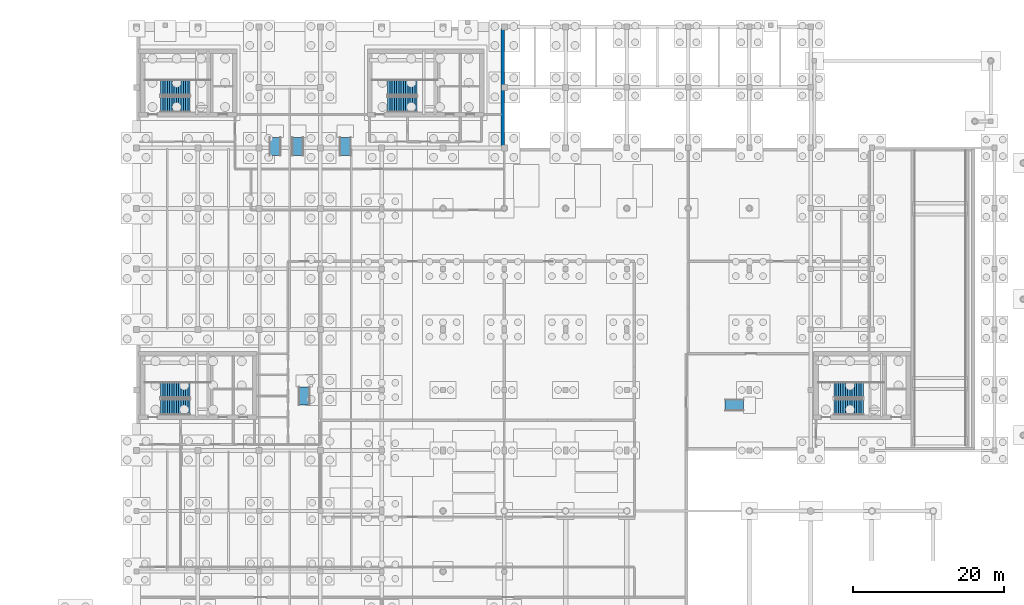
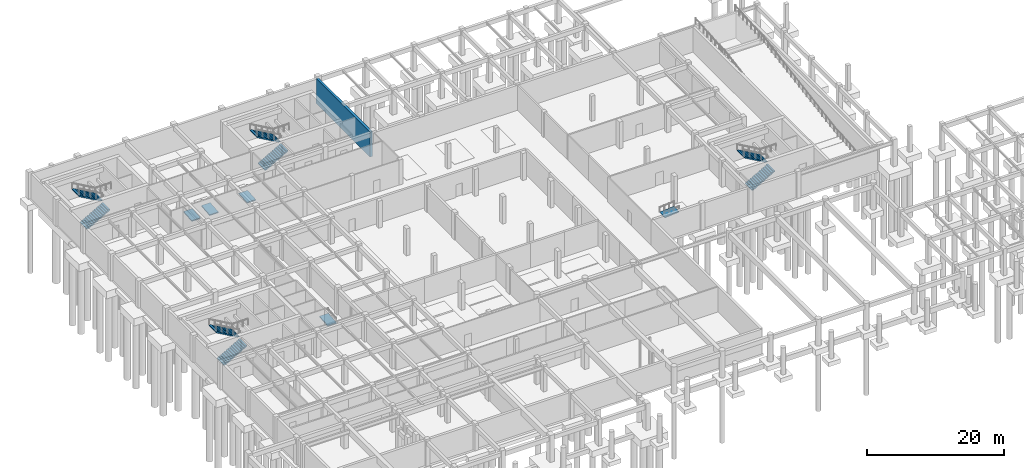
# One storey, part 19 of 25: 8 stair flights, 5 ramp flights, 1 wall, 9 elements without a shape of their own.
"""IFC4 building model written with IfcOpenShell, lengths in metres."""

from ifc_helpers import new_model, si_unit, direction, frame, frame_2d, origin, place, context, subcontext, project, spatial, polyline, rectangle, outline, extrude, material, layer, layer_set, type_object, element, aggregate, save


model = new_model("IFC4")

# Units and contexts
model_context = context("Model", 3, precision=1e-05, world=origin(), true_north=direction((0.0, 1.0)))
body_context = subcontext(model_context, "Body", "Model", "MODEL_VIEW")
ifc_project = project(units=[si_unit("LENGTHUNIT", "METRE"), si_unit("AREAUNIT", "SQUARE_METRE"), si_unit("VOLUMEUNIT", "CUBIC_METRE"), si_unit("PLANEANGLEUNIT", "RADIAN"), si_unit("MASSUNIT", "GRAM", prefix="KILO")], contexts=[model_context])

# Site, building, storey
site_placement = place(None, origin())
site = spatial("IfcSite", under=ifc_project, at=site_placement, CompositionType="ELEMENT")
building_placement = place(site_placement, origin())
building = spatial("IfcBuilding", under=site, at=building_placement, Name="Tarnveldt Square Police Headquarters", CompositionType="ELEMENT")
storey_placement = place(building_placement, frame((0.0, 0.0, -4.800048828125)))
storey = spatial("IfcBuildingStorey", under=building, at=storey_placement, Name="B1", CompositionType="ELEMENT", Elevation=-4.800048828125)

# Wall
ifc_material = material(Name="Concrete 40 MPa", Category="concrete")
ifc_layer_1 = layer(ifc_material, 0.419921875)
ifc_layer_set_1 = layer_set([ifc_layer_1], Name="Concrete 40 MPa")
wall_type = type_object("IfcWallType", Name="WL-RET-420", PredefinedType="USERDEFINED", material=ifc_layer_set_1)
wall_placement = place(storey_placement, frame((64.590087890625, 111.7900390625, 0.0), z_axis=(0.0, 0.0, 1.0), x_axis=(0.0, -1.0, 0.0)))
element("IfcWall", 1, at=wall_placement, inside=storey, type_object=wall_type, Name="Basement Perimeter Retaining Wall 04", ObjectType="RETAINING WALL", PredefinedType="USERDEFINED", context=body_context, shape_type="SweptSolid", body=[
    extrude(rectangle(XDim=15.7900390625, YDim=0.419921875, at=frame_2d((7.89501953125, 0.0))), origin(), (0.0, 0.0, 1.0), 4.449951171875),
])

# Stair, stair flights
stair_type_1 = type_object("IfcStairType", Name="STR-HT-48A", PredefinedType="HALF_TURN_STAIR", material=ifc_material)
stair_1_placement = place(storey_placement, origin())
stair_1 = element("IfcStair", 2, at=stair_1_placement, inside=storey, type_object=stair_type_1, Name="B1 Core K1 Exit Stair ST1", PredefinedType="HALF_TURN_STAIR")
stair_flight_type_1 = type_object("IfcStairFlightType", Name="STF-HT-48A", PredefinedType="STRAIGHT", material=ifc_material)
stair_flight_1_placement = place(storey_placement, frame((19.3701171875, 61.7451171875, 0.0), z_axis=(0.0, 0.0, 1.0), x_axis=(1.0, 0.0, 0.0)))
stair_flight_1 = element("IfcStairFlight", 3, at=stair_flight_1_placement, type_object=stair_flight_type_1, Name="ST1 flight 1", NumberOfRisers=14, NumberOfTreads=13, PredefinedType="STRAIGHT", RiserHeight=0.171428571, TreadLength=0.3, context=body_context, shape_type="SweptSolid", body=[
    extrude(outline(polyline([(0.0, 0.0), (0.0, 0.17138671875), (0.300048828125, 0.17138671875), (0.300048828125, 0.3427734375), (0.60009765625, 0.3427734375), (0.60009765625, 0.514404296875), (0.89990234375, 0.514404296875), (0.89990234375, 0.685791015625), (1.199951171875, 0.685791015625), (1.199951171875, 0.857177734375), (1.5, 0.857177734375), (1.5, 1.028564453125), (1.800048828125, 1.028564453125), (1.800048828125, 1.199951171875), (2.10009765625, 1.199951171875), (2.10009765625, 1.371337890625), (2.39990234375, 1.371337890625), (2.39990234375, 1.54296875), (2.699951171875, 1.54296875), (2.699951171875, 1.71435546875), (3.0, 1.71435546875), (3.0, 1.8857421875), (3.300048828125, 1.8857421875), (3.300048828125, 2.05712890625), (3.60009765625, 2.05712890625), (3.60009765625, 2.228515625), (3.89990234375, 2.228515625), (3.89990234375, 2.39990234375), (3.89990234375, 2.055908203125), (0.30224609375, 0.0), (0.0, 0.0)])), frame((0.0, 1.02490234375, 0.0), z_axis=(0.0, -1.0, 0.0), x_axis=(1.0, 0.0, 0.0)), (0.0, 0.0, 1.0), 2.050048828125),
])
stair_flight_2_placement = place(storey_placement, frame((23.27001953125, 63.9951171875, 2.400146484375), z_axis=(0.0, 0.0, 1.0), x_axis=(-1.0, 0.0, 0.0)))
stair_flight_2 = element("IfcStairFlight", 4, at=stair_flight_2_placement, type_object=stair_flight_type_1, Name="ST1 flight 2", NumberOfRisers=14, NumberOfTreads=13, PredefinedType="STRAIGHT", RiserHeight=0.171428571, TreadLength=0.3, context=body_context, shape_type="SweptSolid", body=[
    extrude(outline(polyline([(0.0, 0.0), (0.0, 0.17138671875), (0.300048828125, 0.17138671875), (0.300048828125, 0.3427734375), (0.60009765625, 0.3427734375), (0.60009765625, 0.514404296875), (0.89990234375, 0.514404296875), (0.89990234375, 0.685791015625), (1.199951171875, 0.685791015625), (1.199951171875, 0.857177734375), (1.5, 0.857177734375), (1.5, 1.028564453125), (1.800048828125, 1.028564453125), (1.800048828125, 1.199951171875), (2.10009765625, 1.199951171875), (2.10009765625, 1.371337890625), (2.39990234375, 1.371337890625), (2.39990234375, 1.54296875), (2.699951171875, 1.54296875), (2.699951171875, 1.71435546875), (3.0, 1.71435546875), (3.0, 1.8857421875), (3.300048828125, 1.8857421875), (3.300048828125, 2.05712890625), (3.60009765625, 2.05712890625), (3.60009765625, 2.228515625), (3.89990234375, 2.228515625), (3.89990234375, 2.39990234375), (3.89990234375, 2.055908203125), (0.30224609375, 0.0), (0.0, 0.0)])), frame((0.0, 1.02490234375, 0.0), z_axis=(0.0, -1.0, 0.0), x_axis=(1.0, 0.0, 0.0)), (0.0, 0.0, 1.0), 2.050048828125),
])
aggregate(stair_1, [stair_flight_1, stair_flight_2])

stair_2_placement = place(storey_placement, origin())
stair_2 = element("IfcStair", 5, at=stair_2_placement, inside=storey, type_object=stair_type_1, Name="B1 Core K2 Exit Stair ST2", PredefinedType="HALF_TURN_STAIR")
stair_flight_3_placement = place(storey_placement, frame((19.3701171875, 101.7451171875, 0.0), z_axis=(0.0, 0.0, 1.0), x_axis=(1.0, 0.0, 0.0)))
stair_flight_3 = element("IfcStairFlight", 6, at=stair_flight_3_placement, type_object=stair_flight_type_1, Name="ST2 flight 1", NumberOfRisers=14, NumberOfTreads=13, PredefinedType="STRAIGHT", RiserHeight=0.171428571, TreadLength=0.3, context=body_context, shape_type="SweptSolid", body=[
    extrude(outline(polyline([(0.0, 0.0), (0.0, 0.17138671875), (0.300048828125, 0.17138671875), (0.300048828125, 0.3427734375), (0.60009765625, 0.3427734375), (0.60009765625, 0.514404296875), (0.89990234375, 0.514404296875), (0.89990234375, 0.685791015625), (1.199951171875, 0.685791015625), (1.199951171875, 0.857177734375), (1.5, 0.857177734375), (1.5, 1.028564453125), (1.800048828125, 1.028564453125), (1.800048828125, 1.199951171875), (2.10009765625, 1.199951171875), (2.10009765625, 1.371337890625), (2.39990234375, 1.371337890625), (2.39990234375, 1.54296875), (2.699951171875, 1.54296875), (2.699951171875, 1.71435546875), (3.0, 1.71435546875), (3.0, 1.8857421875), (3.300048828125, 1.8857421875), (3.300048828125, 2.05712890625), (3.60009765625, 2.05712890625), (3.60009765625, 2.228515625), (3.89990234375, 2.228515625), (3.89990234375, 2.39990234375), (3.89990234375, 2.055908203125), (0.30224609375, 0.0), (0.0, 0.0)])), frame((0.0, 1.02490234375, 0.0), z_axis=(0.0, -1.0, 0.0), x_axis=(1.0, 0.0, 0.0)), (0.0, 0.0, 1.0), 2.050048828125),
])
stair_flight_4_placement = place(storey_placement, frame((23.27001953125, 103.9951171875, 2.400146484375), z_axis=(0.0, 0.0, 1.0), x_axis=(-1.0, 0.0, 0.0)))
stair_flight_4 = element("IfcStairFlight", 7, at=stair_flight_4_placement, type_object=stair_flight_type_1, Name="ST2 flight 2", NumberOfRisers=14, NumberOfTreads=13, PredefinedType="STRAIGHT", RiserHeight=0.171428571, TreadLength=0.3, context=body_context, shape_type="SweptSolid", body=[
    extrude(outline(polyline([(0.0, 0.0), (0.0, 0.17138671875), (0.300048828125, 0.17138671875), (0.300048828125, 0.3427734375), (0.60009765625, 0.3427734375), (0.60009765625, 0.514404296875), (0.89990234375, 0.514404296875), (0.89990234375, 0.685791015625), (1.199951171875, 0.685791015625), (1.199951171875, 0.857177734375), (1.5, 0.857177734375), (1.5, 1.028564453125), (1.800048828125, 1.028564453125), (1.800048828125, 1.199951171875), (2.10009765625, 1.199951171875), (2.10009765625, 1.371337890625), (2.39990234375, 1.371337890625), (2.39990234375, 1.54296875), (2.699951171875, 1.54296875), (2.699951171875, 1.71435546875), (3.0, 1.71435546875), (3.0, 1.8857421875), (3.300048828125, 1.8857421875), (3.300048828125, 2.05712890625), (3.60009765625, 2.05712890625), (3.60009765625, 2.228515625), (3.89990234375, 2.228515625), (3.89990234375, 2.39990234375), (3.89990234375, 2.055908203125), (0.30224609375, 0.0), (0.0, 0.0)])), frame((0.0, 1.02490234375, 0.0), z_axis=(0.0, -1.0, 0.0), x_axis=(1.0, 0.0, 0.0)), (0.0, 0.0, 1.0), 2.050048828125),
])
aggregate(stair_2, [stair_flight_3, stair_flight_4])

stair_3_placement = place(storey_placement, origin())
stair_3 = element("IfcStair", 8, at=stair_3_placement, inside=storey, type_object=stair_type_1, Name="B1 Core K3 Exit Stair ST3", PredefinedType="HALF_TURN_STAIR")
stair_flight_5_placement = place(storey_placement, frame((49.3701171875, 101.7451171875, 0.0), z_axis=(0.0, 0.0, 1.0), x_axis=(1.0, 0.0, 0.0)))
stair_flight_5 = element("IfcStairFlight", 9, at=stair_flight_5_placement, type_object=stair_flight_type_1, Name="ST3 flight 1", NumberOfRisers=14, NumberOfTreads=13, PredefinedType="STRAIGHT", RiserHeight=0.171428571, TreadLength=0.3, context=body_context, shape_type="SweptSolid", body=[
    extrude(outline(polyline([(0.0, 0.0), (0.0, 0.17138671875), (0.300048828125, 0.17138671875), (0.300048828125, 0.3427734375), (0.60009765625, 0.3427734375), (0.60009765625, 0.514404296875), (0.89990234375, 0.514404296875), (0.89990234375, 0.685791015625), (1.199951171875, 0.685791015625), (1.199951171875, 0.857177734375), (1.5, 0.857177734375), (1.5, 1.028564453125), (1.800048828125, 1.028564453125), (1.800048828125, 1.199951171875), (2.10009765625, 1.199951171875), (2.10009765625, 1.371337890625), (2.39990234375, 1.371337890625), (2.39990234375, 1.54296875), (2.699951171875, 1.54296875), (2.699951171875, 1.71435546875), (3.0, 1.71435546875), (3.0, 1.8857421875), (3.300048828125, 1.8857421875), (3.300048828125, 2.05712890625), (3.60009765625, 2.05712890625), (3.60009765625, 2.228515625), (3.89990234375, 2.228515625), (3.89990234375, 2.39990234375), (3.89990234375, 2.055908203125), (0.30224609375, 0.0), (0.0, 0.0)])), frame((0.0, 1.02490234375, 0.0), z_axis=(0.0, -1.0, 0.0), x_axis=(1.0, 0.0, 0.0)), (0.0, 0.0, 1.0), 2.050048828125),
])
stair_flight_6_placement = place(storey_placement, frame((53.27001953125, 103.9951171875, 2.400146484375), z_axis=(0.0, 0.0, 1.0), x_axis=(-1.0, 0.0, 0.0)))
stair_flight_6 = element("IfcStairFlight", 10, at=stair_flight_6_placement, type_object=stair_flight_type_1, Name="ST3 flight 2", NumberOfRisers=14, NumberOfTreads=13, PredefinedType="STRAIGHT", RiserHeight=0.171428571, TreadLength=0.3, context=body_context, shape_type="SweptSolid", body=[
    extrude(outline(polyline([(0.0, 0.0), (0.0, 0.17138671875), (0.300048828125, 0.17138671875), (0.300048828125, 0.3427734375), (0.60009765625, 0.3427734375), (0.60009765625, 0.514404296875), (0.89990234375, 0.514404296875), (0.89990234375, 0.685791015625), (1.199951171875, 0.685791015625), (1.199951171875, 0.857177734375), (1.5, 0.857177734375), (1.5, 1.028564453125), (1.800048828125, 1.028564453125), (1.800048828125, 1.199951171875), (2.10009765625, 1.199951171875), (2.10009765625, 1.371337890625), (2.39990234375, 1.371337890625), (2.39990234375, 1.54296875), (2.699951171875, 1.54296875), (2.699951171875, 1.71435546875), (3.0, 1.71435546875), (3.0, 1.8857421875), (3.300048828125, 1.8857421875), (3.300048828125, 2.05712890625), (3.60009765625, 2.05712890625), (3.60009765625, 2.228515625), (3.89990234375, 2.228515625), (3.89990234375, 2.39990234375), (3.89990234375, 2.055908203125), (0.30224609375, 0.0), (0.0, 0.0)])), frame((0.0, 1.02490234375, 0.0), z_axis=(0.0, -1.0, 0.0), x_axis=(1.0, 0.0, 0.0)), (0.0, 0.0, 1.0), 2.050048828125),
])
aggregate(stair_3, [stair_flight_5, stair_flight_6])

stair_type_2 = type_object("IfcStairType", Name="STR-HT-48B", PredefinedType="HALF_TURN_STAIR", material=ifc_material)
stair_4_placement = place(storey_placement, origin())
stair_4 = element("IfcStair", 11, at=stair_4_placement, inside=storey, type_object=stair_type_2, Name="B1 Core K4 Exit Stair ST4", PredefinedType="HALF_TURN_STAIR")
stair_flight_type_2 = type_object("IfcStairFlightType", Name="STF-HT-48B", PredefinedType="STRAIGHT", material=ifc_material)
stair_flight_7_placement = place(storey_placement, frame((108.3701171875, 61.7451171875, 0.0), z_axis=(0.0, 0.0, 1.0), x_axis=(1.0, 0.0, 0.0)))
stair_flight_7 = element("IfcStairFlight", 12, at=stair_flight_7_placement, type_object=stair_flight_type_2, Name="ST4 flight 1", NumberOfRisers=14, NumberOfTreads=13, PredefinedType="STRAIGHT", RiserHeight=0.171428571, TreadLength=0.3, context=body_context, shape_type="SweptSolid", body=[
    extrude(outline(polyline([(0.0, 0.0), (0.0, 0.17138671875), (0.300048828125, 0.17138671875), (0.300048828125, 0.3427734375), (0.60009765625, 0.3427734375), (0.60009765625, 0.514404296875), (0.89990234375, 0.514404296875), (0.89990234375, 0.685791015625), (1.199951171875, 0.685791015625), (1.199951171875, 0.857177734375), (1.5, 0.857177734375), (1.5, 1.028564453125), (1.800048828125, 1.028564453125), (1.800048828125, 1.199951171875), (2.10009765625, 1.199951171875), (2.10009765625, 1.371337890625), (2.39990234375, 1.371337890625), (2.39990234375, 1.54296875), (2.699951171875, 1.54296875), (2.699951171875, 1.71435546875), (3.0, 1.71435546875), (3.0, 1.8857421875), (3.300048828125, 1.8857421875), (3.300048828125, 2.05712890625), (3.60009765625, 2.05712890625), (3.60009765625, 2.228515625), (3.89990234375, 2.228515625), (3.89990234375, 2.39990234375), (3.89990234375, 2.055908203125), (0.30224609375, 0.0), (0.0, 0.0)])), frame((0.0, 1.02490234375, 0.0), z_axis=(0.0, -1.0, 0.0), x_axis=(1.0, 0.0, 0.0)), (0.0, 0.0, 1.0), 2.050048828125),
])
stair_flight_8_placement = place(storey_placement, frame((112.27001953125, 63.9951171875, 2.400146484375), z_axis=(0.0, 0.0, 1.0), x_axis=(-1.0, 0.0, 0.0)))
stair_flight_8 = element("IfcStairFlight", 13, at=stair_flight_8_placement, type_object=stair_flight_type_2, Name="ST4 flight 2", NumberOfRisers=14, NumberOfTreads=13, PredefinedType="STRAIGHT", RiserHeight=0.171428571, TreadLength=0.3, context=body_context, shape_type="SweptSolid", body=[
    extrude(outline(polyline([(0.0, 0.0), (0.0, 0.17138671875), (0.300048828125, 0.17138671875), (0.300048828125, 0.3427734375), (0.60009765625, 0.3427734375), (0.60009765625, 0.514404296875), (0.89990234375, 0.514404296875), (0.89990234375, 0.685791015625), (1.199951171875, 0.685791015625), (1.199951171875, 0.857177734375), (1.5, 0.857177734375), (1.5, 1.028564453125), (1.800048828125, 1.028564453125), (1.800048828125, 1.199951171875), (2.10009765625, 1.199951171875), (2.10009765625, 1.371337890625), (2.39990234375, 1.371337890625), (2.39990234375, 1.54296875), (2.699951171875, 1.54296875), (2.699951171875, 1.71435546875), (3.0, 1.71435546875), (3.0, 1.8857421875), (3.300048828125, 1.8857421875), (3.300048828125, 2.05712890625), (3.60009765625, 2.05712890625), (3.60009765625, 2.228515625), (3.89990234375, 2.228515625), (3.89990234375, 2.39990234375), (3.89990234375, 2.055908203125), (0.30224609375, 0.0), (0.0, 0.0)])), frame((0.0, 1.02490234375, 0.0), z_axis=(0.0, -1.0, 0.0), x_axis=(1.0, 0.0, 0.0)), (0.0, 0.0, 1.0), 2.050048828125),
])
aggregate(stair_4, [stair_flight_7, stair_flight_8])

# Ramp, ramp flight
ramp_type = type_object("IfcRampType", Name="RMP-PED-180", PredefinedType="STRAIGHT_RUN_RAMP", material=ifc_material)
ramp_1_placement = place(storey_placement, origin())
ramp_1 = element("IfcRamp", 14, at=ramp_1_placement, inside=storey, type_object=ramp_type, Name="Core K1 Accessible Lobby Ramp PR1", PredefinedType="STRAIGHT_RUN_RAMP")
ifc_layer_2 = layer(ifc_material, 0.179931640625)
ifc_layer_set_2 = layer_set([ifc_layer_2], Name="Concrete 40 MPa")
ramp_flight_type = type_object("IfcRampFlightType", Name="RMF-PED-180", PredefinedType="STRAIGHT", material=ifc_layer_set_2)
ramp_flight_1_placement = place(storey_placement, frame((38.35009765625, 62.0, 0.0), z_axis=(0.0, 0.0, 1.0), x_axis=(0.0, 1.0, 0.0)))
ramp_flight_1 = element("IfcRampFlight", 15, at=ramp_flight_1_placement, type_object=ramp_flight_type, Name="Core K1 Accessible Lobby Ramp PR1 flight 1", PredefinedType="STRAIGHT", context=body_context, shape_type="SweptSolid", body=[
    extrude(outline(polyline([(0.0, -0.179931640625), (0.0, 0.0), (2.39990234375, 0.199951171875), (2.39990234375, 0.02001953125), (0.0, -0.179931640625)])), frame((0.0, 0.75, 0.0), z_axis=(0.0, -1.0, 0.0), x_axis=(1.0, 0.0, 0.0)), (0.0, 0.0, 1.0), 1.5),
])
aggregate(ramp_1, [ramp_flight_1])

ramp_2_placement = place(storey_placement, origin())
ramp_2 = element("IfcRamp", 16, at=ramp_2_placement, inside=storey, type_object=ramp_type, Name="Core K2 Accessible Lobby Ramp PR2", PredefinedType="STRAIGHT_RUN_RAMP")
ramp_flight_2_placement = place(storey_placement, frame((34.5, 95.0, 0.0), z_axis=(0.0, 0.0, 1.0), x_axis=(0.0, 1.0, 0.0)))
ramp_flight_2 = element("IfcRampFlight", 17, at=ramp_flight_2_placement, type_object=ramp_flight_type, Name="Core K2 Accessible Lobby Ramp PR2 flight 1", PredefinedType="STRAIGHT", context=body_context, shape_type="SweptSolid", body=[
    extrude(outline(polyline([(0.0, -0.179931640625), (0.0, 0.0), (2.39990234375, 0.199951171875), (2.39990234375, 0.02001953125), (0.0, -0.179931640625)])), frame((0.0, 0.75, 0.0), z_axis=(0.0, -1.0, 0.0), x_axis=(1.0, 0.0, 0.0)), (0.0, 0.0, 1.0), 1.5),
])
aggregate(ramp_2, [ramp_flight_2])

ramp_3_placement = place(storey_placement, origin())
ramp_3 = element("IfcRamp", 18, at=ramp_3_placement, inside=storey, type_object=ramp_type, Name="Core K3 Accessible Lobby Ramp PR3", PredefinedType="STRAIGHT_RUN_RAMP")
ramp_flight_3_placement = place(storey_placement, frame((37.5, 95.0, 0.0), z_axis=(0.0, 0.0, 1.0), x_axis=(0.0, 1.0, 0.0)))
ramp_flight_3 = element("IfcRampFlight", 19, at=ramp_flight_3_placement, type_object=ramp_flight_type, Name="Core K3 Accessible Lobby Ramp PR3 flight 1", PredefinedType="STRAIGHT", context=body_context, shape_type="SweptSolid", body=[
    extrude(outline(polyline([(0.0, -0.179931640625), (0.0, 0.0), (2.39990234375, 0.199951171875), (2.39990234375, 0.02001953125), (0.0, -0.179931640625)])), frame((0.0, 0.75, 0.0), z_axis=(0.0, -1.0, 0.0), x_axis=(1.0, 0.0, 0.0)), (0.0, 0.0, 1.0), 1.5),
])
aggregate(ramp_3, [ramp_flight_3])

ramp_4_placement = place(storey_placement, origin())
ramp_4 = element("IfcRamp", 20, at=ramp_4_placement, inside=storey, type_object=ramp_type, Name="Core K4 Accessible Lobby Ramp PR4", PredefinedType="STRAIGHT_RUN_RAMP")
ramp_flight_4_placement = place(storey_placement, frame((94.0, 62.0, 0.0), z_axis=(0.0, 0.0, 1.0), x_axis=(1.0, 0.0, 0.0)))
ramp_flight_4 = element("IfcRampFlight", 21, at=ramp_flight_4_placement, type_object=ramp_flight_type, Name="Core K4 Accessible Lobby Ramp PR4 flight 1", PredefinedType="STRAIGHT", context=body_context, shape_type="SweptSolid", body=[
    extrude(outline(polyline([(0.0, -0.179931640625), (0.0, 0.0), (2.39990234375, 0.199951171875), (2.39990234375, 0.02001953125), (0.0, -0.179931640625)])), frame((0.0, 0.75, 0.0), z_axis=(0.0, -1.0, 0.0), x_axis=(1.0, 0.0, 0.0)), (0.0, 0.0, 1.0), 1.5),
])
aggregate(ramp_4, [ramp_flight_4])

ramp_5_placement = place(storey_placement, origin())
ramp_5 = element("IfcRamp", 22, at=ramp_5_placement, inside=storey, type_object=ramp_type, Name="Core K3 South Lobby Ramp PR5", PredefinedType="STRAIGHT_RUN_RAMP")
ramp_flight_5_placement = place(storey_placement, frame((43.800048828125, 95.0, 0.0), z_axis=(0.0, 0.0, 1.0), x_axis=(0.0, 1.0, 0.0)))
ramp_flight_5 = element("IfcRampFlight", 23, at=ramp_flight_5_placement, type_object=ramp_flight_type, Name="Core K3 South Lobby Ramp PR5 flight 1", PredefinedType="STRAIGHT", context=body_context, shape_type="SweptSolid", body=[
    extrude(outline(polyline([(0.0, -0.179931640625), (0.0, 0.0), (2.39990234375, 0.199951171875), (2.39990234375, 0.02001953125), (0.0, -0.179931640625)])), frame((0.0, 0.75, 0.0), z_axis=(0.0, -1.0, 0.0), x_axis=(1.0, 0.0, 0.0)), (0.0, 0.0, 1.0), 1.5),
])
aggregate(ramp_5, [ramp_flight_5])

save(model, "model.ifc")
